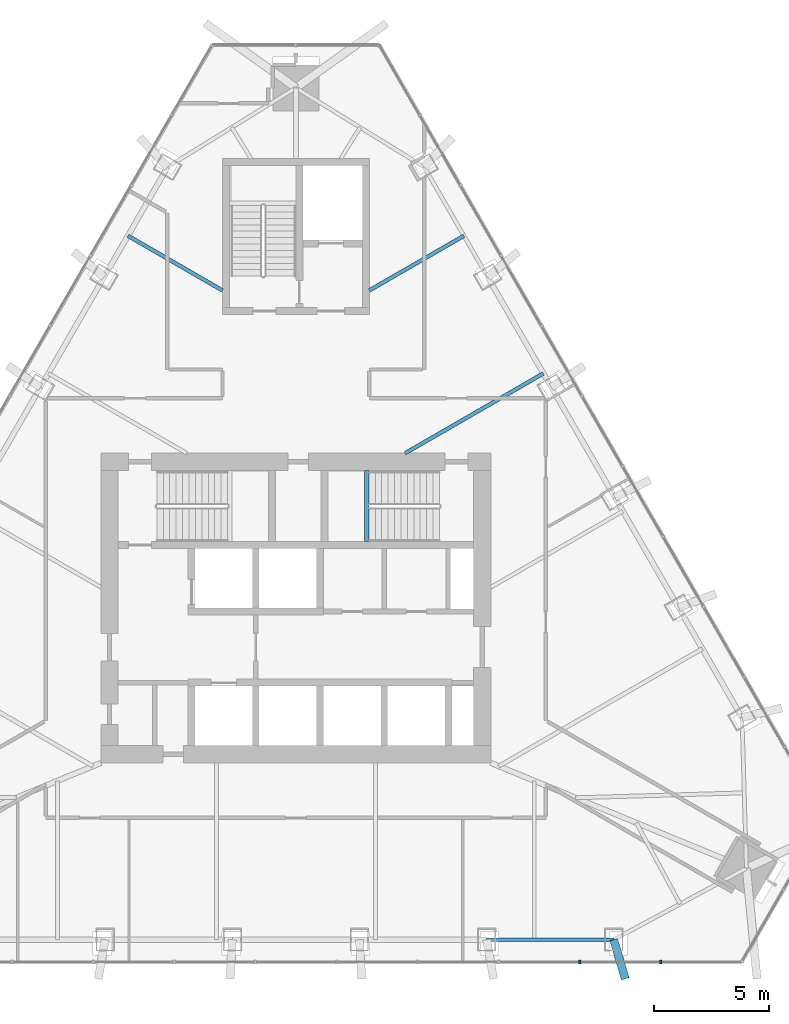
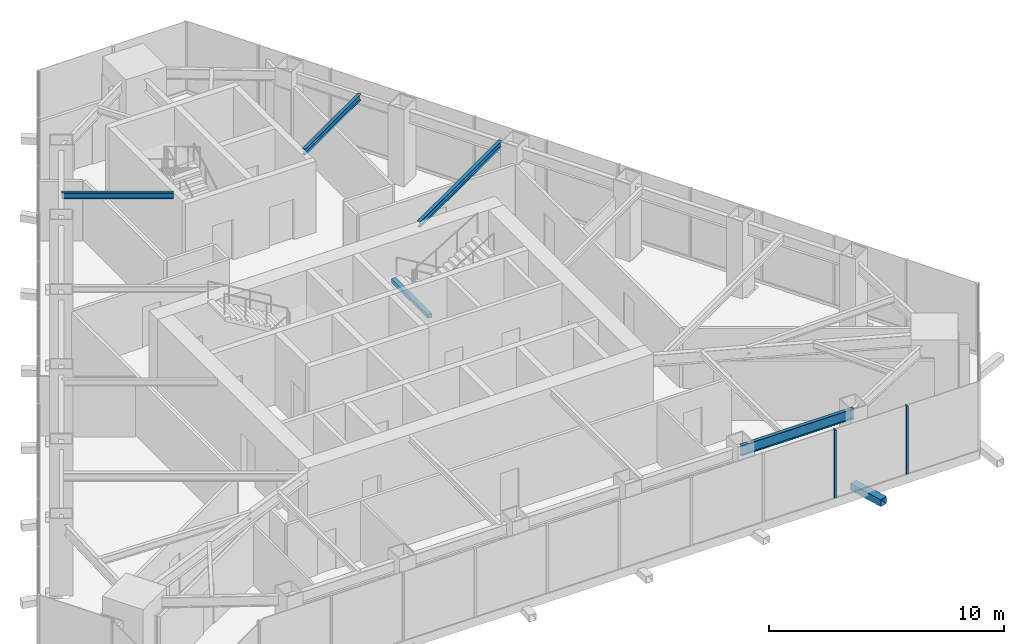
# One storey, part 6 of 14: 5 beams, 3 members, 1 element without a shape of its own.
"""IFC4 building model written with IfcOpenShell, lengths in metres."""

import ifcopenshell
import ifcopenshell.guid

model = None  # the IFC model being written
_history = None  # IfcOwnerHistory: only IFC2X3 demands one
_inside = {}  # id of a spatial element -> (the spatial element, [elements in it])
_under = {}  # id of a project, library or spatial element -> (it, [spatial elements below it])
_declared = {}  # id of a project -> (the project, [libraries it declares])
_typed = {}  # id of a type object -> (the type object, [elements of that type])
_made_of = {}  # id of a material, layer set ... -> (it, [elements and type objects made of it])


def new_model(schema):
    """Start an empty IFC model of exactly this schema.

    Asked for "IFC4X3", IfcOpenShell would pick the latest addendum, in which some entities
    have other attributes; the version numbers below select the first issue.
    IFC2X3 requires an IfcOwnerHistory on every rooted entity: one is made here for all.
    """
    global model, _history
    if schema == "IFC4X3":
        model = ifcopenshell.file(schema_version=(4, 3, 0, 0))
    else:
        model = ifcopenshell.file(schema=schema)
    _inside.clear()
    _under.clear()
    _declared.clear()
    _typed.clear()
    _made_of.clear()
    _history = None
    if model.schema == "IFC2X3":
        org = make("IfcOrganization", Name="unknown")
        user = make(
            "IfcPersonAndOrganization",
            ThePerson=make("IfcPerson", FamilyName="unknown"),
            TheOrganization=org,
        )
        app = make(
            "IfcApplication",
            ApplicationDeveloper=org,
            Version="unknown",
            ApplicationFullName="unknown",
            ApplicationIdentifier="unknown",
        )
        _history = make(
            "IfcOwnerHistory",
            OwningUser=user,
            OwningApplication=app,
            ChangeAction="ADDED",
            CreationDate=0,
        )
    return model


def make(cls, **values):
    """One entity of the class cls with the attributes given. An attribute that is None is left unset."""
    return model.create_entity(
        cls, **{name: value for name, value in values.items() if value is not None}
    )


def rooted(cls, **values):
    """An entity with a GlobalId (a new one), such as an element, a storey or a relation."""
    return make(cls, GlobalId=ifcopenshell.guid.new(), OwnerHistory=_history, **values)


def si_unit(unit_type, name, prefix=None):
    """IfcSIUnit, for example si_unit("LENGTHUNIT", "METRE", prefix="MILLI")."""
    return make("IfcSIUnit", UnitType=unit_type, Prefix=prefix, Name=name)


def assignment(units):
    """IfcUnitAssignment: the units of a project."""
    return None if units is None else make("IfcUnitAssignment", Units=units)


def point(xyz):
    """IfcCartesianPoint."""
    return None if xyz is None else make("IfcCartesianPoint", Coordinates=xyz)


def direction(xyz):
    """IfcDirection."""
    return None if xyz is None else make("IfcDirection", DirectionRatios=xyz)


def frame(location, z_axis=None, x_axis=None):
    """IfcAxis2Placement3D, a coordinate frame: its origin and axes. An axis left out is left unset."""
    return make(
        "IfcAxis2Placement3D",
        Location=point(location),
        Axis=direction(z_axis),
        RefDirection=direction(x_axis),
    )


def frame_2d(location, x_axis=None):
    """IfcAxis2Placement2D, a coordinate frame in the plane: its origin and x axis."""
    return make(
        "IfcAxis2Placement2D", Location=point(location), RefDirection=direction(x_axis)
    )


def origin():
    """The frame at (0, 0, 0) with its axes left unset."""
    return frame((0.0, 0.0, 0.0))


def origin_2d():
    """The frame at (0, 0) in the plane with its x axis left unset."""
    return frame_2d((0.0, 0.0))


def place(relative_to, where):
    """IfcLocalPlacement: puts the frame where relative to a parent placement (None: the world)."""
    return make(
        "IfcLocalPlacement", PlacementRelTo=relative_to, RelativePlacement=where
    )


def context(
    kind, dimensions, precision=None, world=None, true_north=None, identifier=None
):
    """IfcGeometricRepresentationContext, for example the 3D "Model" context."""
    return make(
        "IfcGeometricRepresentationContext",
        ContextIdentifier=identifier,
        ContextType=kind,
        CoordinateSpaceDimension=dimensions,
        Precision=precision,
        WorldCoordinateSystem=world,
        TrueNorth=true_north,
    )


def subcontext(parent, identifier, kind, view, scale=None):
    """IfcGeometricRepresentationSubContext, for example "Body" below "Model"."""
    return make(
        "IfcGeometricRepresentationSubContext",
        ContextIdentifier=identifier,
        ContextType=kind,
        ParentContext=parent,
        TargetScale=scale,
        TargetView=view,
    )


def project(units=None, contexts=None):
    """IfcProject with its units and contexts."""
    return rooted(
        "IfcProject",
        Name="project",
        RepresentationContexts=contexts,
        UnitsInContext=assignment(units),
    )


def spatial(cls, under=None, at=None, **own):
    """A site, building, storey or space (cls), placed at a placement, below another one or the project."""
    s = rooted(cls, ObjectPlacement=at, **own)
    if under is not None:
        _under.setdefault(under.id(), (under, []))[1].append(s)
    return s


def profile(cls, at=None, kind="AREA", **sizes):
    """A parametric profile (cls). Its sizes go by their IFC names, for example OverallWidth=200.0."""
    return make(cls, ProfileType=kind, Position=at, **sizes)


def rectangle(**sizes):
    """IfcRectangleProfileDef."""
    return profile("IfcRectangleProfileDef", **sizes)


def hollow_rectangle(**sizes):
    """IfcRectangleHollowProfileDef."""
    return profile("IfcRectangleHollowProfileDef", **sizes)


def i_section(**sizes):
    """IfcIShapeProfileDef."""
    return profile("IfcIShapeProfileDef", **sizes)


def extrude(swept, where, along, depth):
    """IfcExtrudedAreaSolid: the profile swept, set in the frame where, extruded along a direction by depth."""
    return make(
        "IfcExtrudedAreaSolid",
        SweptArea=swept,
        Position=where,
        ExtrudedDirection=direction(along),
        Depth=depth,
    )


def shape(context_of_items, identifier, shape_type, items):
    """IfcShapeRepresentation: the items that make up one representation, for example the "Body"."""
    return make(
        "IfcShapeRepresentation",
        ContextOfItems=context_of_items,
        RepresentationIdentifier=identifier,
        RepresentationType=shape_type,
        Items=items,
    )


def material(Name=None, Category=None):
    """IfcMaterial."""
    return make("IfcMaterial", Name=Name, Category=Category)


def layer(
    of_material, thickness, ventilated=None, Name=None, Category=None, Priority=None
):
    """IfcMaterialLayer: one layer of a wall or slab, of a material (None: an air gap)."""
    return make(
        "IfcMaterialLayer",
        Material=of_material,
        LayerThickness=thickness,
        IsVentilated=ventilated,
        Name=Name,
        Category=Category,
        Priority=Priority,
    )


def layer_set(layers, Name=None):
    """IfcMaterialLayerSet."""
    return make("IfcMaterialLayerSet", MaterialLayers=layers, LayerSetName=Name)


def material_profile(
    of_material, cross_section, Name=None, Category=None, Priority=None
):
    """IfcMaterialProfile: a cross section and its material."""
    return make(
        "IfcMaterialProfile",
        Name=Name,
        Material=of_material,
        Profile=cross_section,
        Priority=Priority,
        Category=Category,
    )


def profile_set(profiles, Name=None, composite=None):
    """IfcMaterialProfileSet."""
    return make(
        "IfcMaterialProfileSet",
        Name=Name,
        MaterialProfiles=profiles,
        CompositeProfile=composite,
    )


def made_of(thing, what):
    """Note that an element or type object is made of a material, layer set ...; save() writes the relation."""
    if what is not None:
        _made_of.setdefault(what.id(), (what, []))[1].append(thing)
    return thing


def type_object(cls, material=None, **own):
    """A type object (cls), such as IfcWallType, which elements share."""
    return made_of(rooted(cls, **own), material)


def element(
    cls,
    number,
    at=None,
    inside=None,
    cuts=None,
    type_object=None,
    material=None,
    context=None,
    identifier="Body",
    shape_type=None,
    held_by="IfcProductDefinitionShape",
    body=None,
    shapes=None,
    **own,
):
    """One element of the class cls, such as IfcWall. Its Tag is "e" and its number.

    at: its placement. inside: the storey or other place that contains it. cuts: it is an
    opening in that element (IfcRelVoidsElement). A single representation is given by context,
    identifier, shape_type and body (its items); several are given by shapes. held_by: the class
    of the entity that holds the representations. save() writes the other relations.
    """
    e = rooted(cls, Tag="e%d" % number, ObjectPlacement=at, **own)
    if body is not None:
        shapes = [shape(context, identifier, shape_type, body)]
    if shapes is not None:
        e.Representation = make(held_by, Representations=shapes)
    if inside is not None:
        _inside.setdefault(inside.id(), (inside, []))[1].append(e)
    if cuts is not None:
        rooted(
            "IfcRelVoidsElement", RelatingBuildingElement=cuts, RelatedOpeningElement=e
        )
    if type_object is not None:
        _typed.setdefault(type_object.id(), (type_object, []))[1].append(e)
    return made_of(e, material)


def aggregate(whole, parts):
    """IfcRelAggregates: a whole, such as a stair, and the parts it consists of."""
    return rooted("IfcRelAggregates", RelatingObject=whole, RelatedObjects=parts)


def save(model, path):
    """Write the relations noted so far, then the file.

    IfcRelAggregates (storeys below a building ...), IfcRelContainedInSpatialStructure (elements
    in a storey), IfcRelDefinesByType, IfcRelAssociatesMaterial and IfcRelDeclares: one each for
    every whole, place, type object, material and project.
    """
    for whole, parts in _under.values():
        aggregate(whole, parts)
    for where, things in _inside.values():
        rooted(
            "IfcRelContainedInSpatialStructure",
            RelatedElements=things,
            RelatingStructure=where,
        )
    for kind, things in _typed.values():
        rooted("IfcRelDefinesByType", RelatedObjects=things, RelatingType=kind)
    for what, things in _made_of.values():
        rooted("IfcRelAssociatesMaterial", RelatedObjects=things, RelatingMaterial=what)
    for by, libraries in _declared.values():
        rooted("IfcRelDeclares", RelatingContext=by, RelatedDefinitions=libraries)
    model.write(path)


model = new_model("IFC4")

# Units and contexts
model_context = context("Model", 3, precision=1e-05, world=origin(), true_north=direction((0.0, 1.0)))
body_context = subcontext(model_context, "Body", "Model", "MODEL_VIEW")
ifc_project = project(units=[si_unit("LENGTHUNIT", "METRE"), si_unit("AREAUNIT", "SQUARE_METRE"), si_unit("VOLUMEUNIT", "CUBIC_METRE"), si_unit("PLANEANGLEUNIT", "RADIAN"), si_unit("MASSUNIT", "GRAM", prefix="KILO")], contexts=[model_context])

# Site, building, storey
site_placement = place(None, origin())
site = spatial("IfcSite", under=ifc_project, at=site_placement, CompositionType="ELEMENT")
building_placement = place(site_placement, origin())
building = spatial("IfcBuilding", under=site, at=building_placement, Name="Firuza Gate Tower and Library", CompositionType="ELEMENT")
storey_placement = place(building_placement, frame((0.0, 0.0, 331.60009765625)))
storey = spatial("IfcBuildingStorey", under=building, at=storey_placement, Name="L81", CompositionType="ELEMENT", Elevation=331.60009765625)

# Curtain wall, members
ifc_material_1 = material(Name="Aluminium 6063-T6", Category="aluminium")
ifc_layer = layer(ifc_material_1, 0.14990234375)
ifc_layer_set = layer_set([ifc_layer], Name="Ceramic screen wall, crown plant")
curtain_wall_type = type_object("IfcCurtainWallType", Name="Ceramic screen wall, crown plant", PredefinedType="NOTDEFINED", material=ifc_layer_set)
curtain_wall_placement = place(storey_placement, origin())
curtain_wall = element("IfcCurtainWall", 1, at=curtain_wall_placement, inside=storey, type_object=curtain_wall_type, Name="CW6 L81 S", PredefinedType="NOTDEFINED")
ifc_material_2 = material(Name="Aluminium 6063-T6", Category="aluminium")
ifc_material_profile_1 = material_profile(ifc_material_2, rectangle(XDim=0.14990234375, YDim=0.080078125, at=origin_2d()))
ifc_profile_set_1 = profile_set([ifc_material_profile_1], Name="Aluminium 6063-T6")
member_type_1 = type_object("IfcMemberType", Name="Curtain wall mullion 80x150", PredefinedType="MULLION", material=ifc_profile_set_1)
member_1_placement = place(storey_placement, frame((87.373046875, 59.5673828125, 0.14990234375), z_axis=(0.0, 0.0, 1.0), x_axis=(0.0, 1.0, 0.0)))
member_1 = element("IfcMember", 2, at=member_1_placement, type_object=member_type_1, Name="Mullion", PredefinedType="MULLION", context=body_context, shape_type="SweptSolid", body=[
    extrude(rectangle(XDim=0.14990234375, YDim=0.080078125, at=origin_2d()), origin(), (0.0, 0.0, 1.0), 3.550048828125),
])
member_2_placement = place(storey_placement, frame((90.908203125, 59.5673828125, 0.14990234375), z_axis=(0.0, 0.0, 1.0), x_axis=(0.0, 1.0, 0.0)))
member_2 = element("IfcMember", 3, at=member_2_placement, type_object=member_type_1, Name="Mullion", PredefinedType="MULLION", context=body_context, shape_type="SweptSolid", body=[
    extrude(rectangle(XDim=0.14990234375, YDim=0.080078125, at=origin_2d()), origin(), (0.0, 0.0, 1.0), 3.550048828125),
])
aggregate(curtain_wall, [member_1, member_2])

# Member
ifc_material_3 = material(Name="Steel S355", Category="steel")
ifc_material_profile_2 = material_profile(ifc_material_3, hollow_rectangle(XDim=0.355712890625, YDim=0.355712890625, WallThickness=0.014892578125, at=origin_2d()))
ifc_profile_set_2 = profile_set([ifc_material_profile_2], Name="Steel S355")
member_type_2 = type_object("IfcMemberType", Name="HSS356x356x16 Lattice node tie", PredefinedType="BRACE", material=ifc_profile_set_2)
member_3_placement = place(storey_placement, frame((88.857177734375, 60.54248046875, -0.320068359375), z_axis=(0.282686344294, -0.95921240127, 0.0), x_axis=(0.95921240127, 0.282686344294, 0.0)))
element("IfcMember", 4, at=member_3_placement, inside=storey, type_object=member_type_2, Name="Lattice node tie S L81 615", PredefinedType="BRACE", context=body_context, shape_type="SweptSolid", body=[
    extrude(hollow_rectangle(XDim=0.355712890625, YDim=0.355712890625, WallThickness=0.014892578125, at=origin_2d()), origin(), (0.0, 0.0, 1.0), 1.779052734375),
])

# Beams
ifc_material_4 = material(Name="Concrete C35/45", Category="concrete")
ifc_material_profile_3 = material_profile(ifc_material_4, rectangle(XDim=0.199951171875, YDim=0.199951171875, at=origin_2d()))
ifc_profile_set_3 = profile_set([ifc_material_profile_3], Name="Concrete C35/45")
beam_type_1 = type_object("IfcBeamType", Name="Stair landing bearer 200x200", PredefinedType="BEAM", material=ifc_profile_set_3)
beam_1_placement = place(storey_placement, frame((78.080078125, 81.0, 1.699951171875), z_axis=(0.0, -1.0, 0.0), x_axis=(1.0, 0.0, 0.0)))
element("IfcBeam", 5, at=beam_1_placement, inside=storey, type_object=beam_type_1, Name="Landing bearer L81 stair 2", PredefinedType="BEAM", context=body_context, shape_type="SweptSolid", body=[
    extrude(rectangle(XDim=0.199951171875, YDim=0.199951171875, at=origin_2d()), origin(), (0.0, 0.0, 1.0), 3.10009765625),
])
ifc_material_5 = material(Name="Steel S355", Category="steel")
ifc_material_profile_4 = material_profile(ifc_material_5, i_section(OverallWidth=0.1650390625, OverallDepth=0.31005859375, WebThickness=0.005859375, FlangeThickness=0.009765625, at=origin_2d()))
ifc_profile_set_4 = profile_set([ifc_material_profile_4], Name="Steel S355")
beam_type_2 = type_object("IfcBeamType", Name="W310x39 Floor beam", PredefinedType="JOIST", material=ifc_profile_set_4)
beam_2_placement = place(storey_placement, frame((85.788330078125, 85.22900390625, 3.544921875), z_axis=(-0.866019052629, -0.500011000363, 0.0), x_axis=(0.500011000363, -0.866019052629, 0.0)))
element("IfcBeam", 6, at=beam_2_placement, inside=storey, type_object=beam_type_2, Name="Floor beam L81 s52", PredefinedType="JOIST", context=body_context, shape_type="SweptSolid", body=[
    extrude(i_section(OverallWidth=0.1650390625, OverallDepth=0.31005859375, WebThickness=0.005859375, FlangeThickness=0.009765625, at=origin_2d()), origin(), (0.0, 0.0, 1.0), 6.957763671875),
])
for number, where, z_axis, x_axis, name in (
    (7, (82.32421875, 91.229248046875, 3.544921875), (-0.866029357279, -0.499993152284, 0.0), (0.499993152284, -0.866029357279, 0.0), "Floor beam L81 s53"),
    (8, (67.67578125, 91.229248046875, 3.544921875), (0.866029357279, -0.499993152284, 0.0), (0.499993152284, 0.866029357279, 0.0), "Floor beam L81 s80"),
):
    element("IfcBeam", number, at=place(storey_placement, frame(where, z_axis=z_axis, x_axis=x_axis)), inside=storey, type_object=beam_type_2, Name=name, PredefinedType="JOIST", context=body_context, shape_type="SweptSolid", body=[
        extrude(i_section(OverallWidth=0.1650390625, OverallDepth=0.31005859375, WebThickness=0.005859375, FlangeThickness=0.009765625, at=origin_2d()), origin(), (0.0, 0.0, 1.0), 4.76220703125),
    ])
ifc_material_6 = material(Name="Steel S355", Category="steel")
ifc_material_profile_5 = material_profile(ifc_material_6, i_section(OverallWidth=0.166015625, OverallDepth=0.534912109375, WebThickness=0.01025390625, FlangeThickness=0.0166015625, at=origin_2d()))
ifc_profile_set_5 = profile_set([ifc_material_profile_5], Name="Steel S355")
beam_type_3 = type_object("IfcBeamType", Name="W530x85 Edge beam", PredefinedType="SPANDREL", material=ifc_profile_set_5)
beam_3_placement = place(storey_placement, frame((83.314208984375, 60.54248046875, 3.432373046875), z_axis=(1.0, 0.0, 0.0), x_axis=(0.0, 1.0, 0.0)))
element("IfcBeam", 9, at=beam_3_placement, inside=storey, type_object=beam_type_3, Name="Edge beam L81 e24", PredefinedType="SPANDREL", context=body_context, shape_type="SweptSolid", body=[
    extrude(i_section(OverallWidth=0.166015625, OverallDepth=0.534912109375, WebThickness=0.01025390625, FlangeThickness=0.0166015625, at=origin_2d()), origin(), (0.0, 0.0, 1.0), 5.54296875),
])

save(model, "model.ifc")
